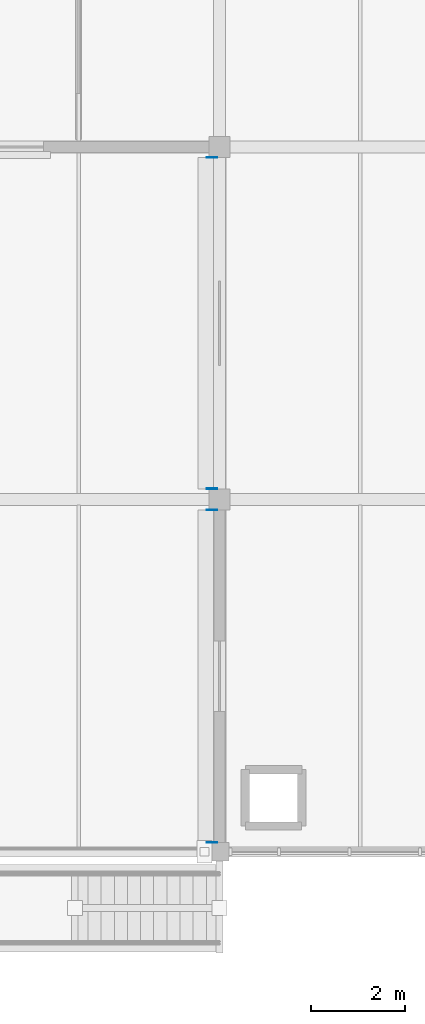
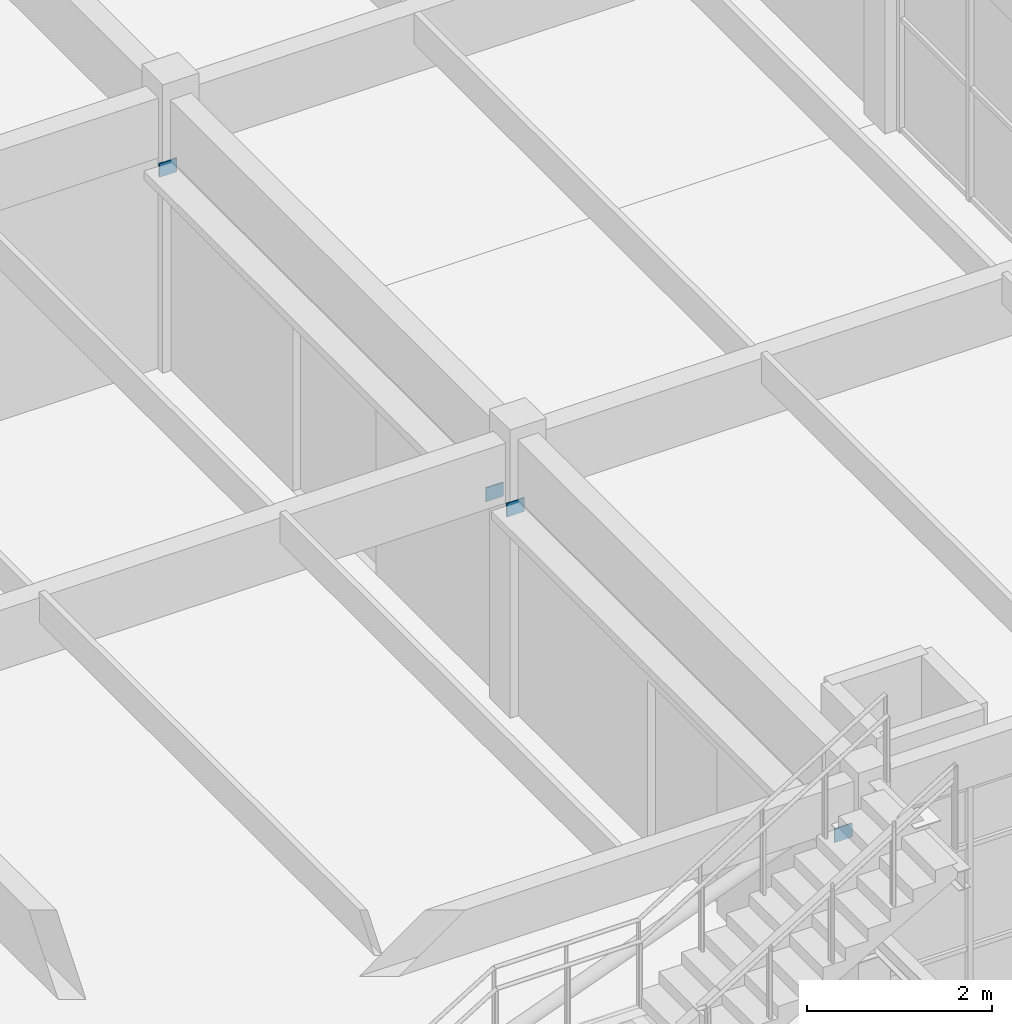
# One storey, part 65 of 81: 4 plates.
"""IFC4 building model written with IfcOpenShell, lengths in metres."""

from ifc_helpers import new_model, si_unit, direction, frame, origin, origin_2d, place, context, subcontext, project, spatial, rectangle, extrude, material, layer, layer_set, type_object, element, save


model = new_model("IFC4")

# Units and contexts
model_context = context("Model", 3, precision=1e-05, world=origin(), true_north=direction((0.0, 1.0)))
body_context = subcontext(model_context, "Body", "Model", "MODEL_VIEW")
ifc_project = project(units=[si_unit("LENGTHUNIT", "METRE"), si_unit("AREAUNIT", "SQUARE_METRE"), si_unit("VOLUMEUNIT", "CUBIC_METRE"), si_unit("PLANEANGLEUNIT", "RADIAN"), si_unit("MASSUNIT", "GRAM", prefix="KILO")], contexts=[model_context])

# Site, building, storey
site_placement = place(None, origin())
site = spatial("IfcSite", under=ifc_project, at=site_placement, CompositionType="ELEMENT")
building_placement = place(site_placement, origin())
building = spatial("IfcBuilding", under=site, at=building_placement, Name="Marnridge Secondary College", CompositionType="ELEMENT")
storey_placement = place(building_placement, frame((0.0, 0.0, 8.5)))
storey = spatial("IfcBuildingStorey", under=building, at=storey_placement, Name="L02", CompositionType="ELEMENT", Elevation=8.5)

# Plates
ifc_material = material(Name="Structural steel plate Grade 350 (AS/NZS 3678, fy = 350 MPa <=12mm, 340 MPa 12-20mm, 330 MPa 20-50mm)", Category="steel")
ifc_layer = layer(ifc_material, 0.02392578125)
ifc_layer_set = layer_set([ifc_layer], Name="PT-GUS-GSN2")
plate_type = type_object("IfcPlateType", Name="PT-GUS-GSN2", PredefinedType="USERDEFINED", material=ifc_layer_set)
for number, where, z_axis, x_axis, name in (
    (1, (80.840087890625, 37.699951171875, 2.671875), (0.0, 0.0, 1.0), (1.0, 0.0, 0.0), "Solar fin end bracket plate SFN-0083-BP1"),
    (2, (80.840087890625, 44.77490234375, 2.671875), (0.0, 0.0, 1.0), (1.0, 0.0, 0.0), "Solar fin end bracket plate SFN-0083-BP2"),
    (3, (80.840087890625, 45.22509765625, 2.60205078125), (0.0, 0.0, 1.0), (1.0, 0.0, 0.0), "Solar fin end bracket plate SFN-0084-BP1"),
    (4, (80.840087890625, 52.27490234375, 2.60205078125), (0.0, 0.0, 1.0), (1.0, 0.0, 0.0), "Solar fin end bracket plate SFN-0084-BP2"),
):
    element("IfcPlate", number, at=place(storey_placement, frame(where, z_axis=z_axis, x_axis=x_axis)), inside=storey, type_object=plate_type, Name=name, ObjectType="GUSSET PLATE", PredefinedType="USERDEFINED", context=body_context, shape_type="SweptSolid", body=[
        extrude(rectangle(XDim=0.219970703125, YDim=0.01806640625, at=origin_2d()), origin(), (0.0, 0.0, 1.0), 0.179931640625),
    ])

save(model, "model.ifc")
